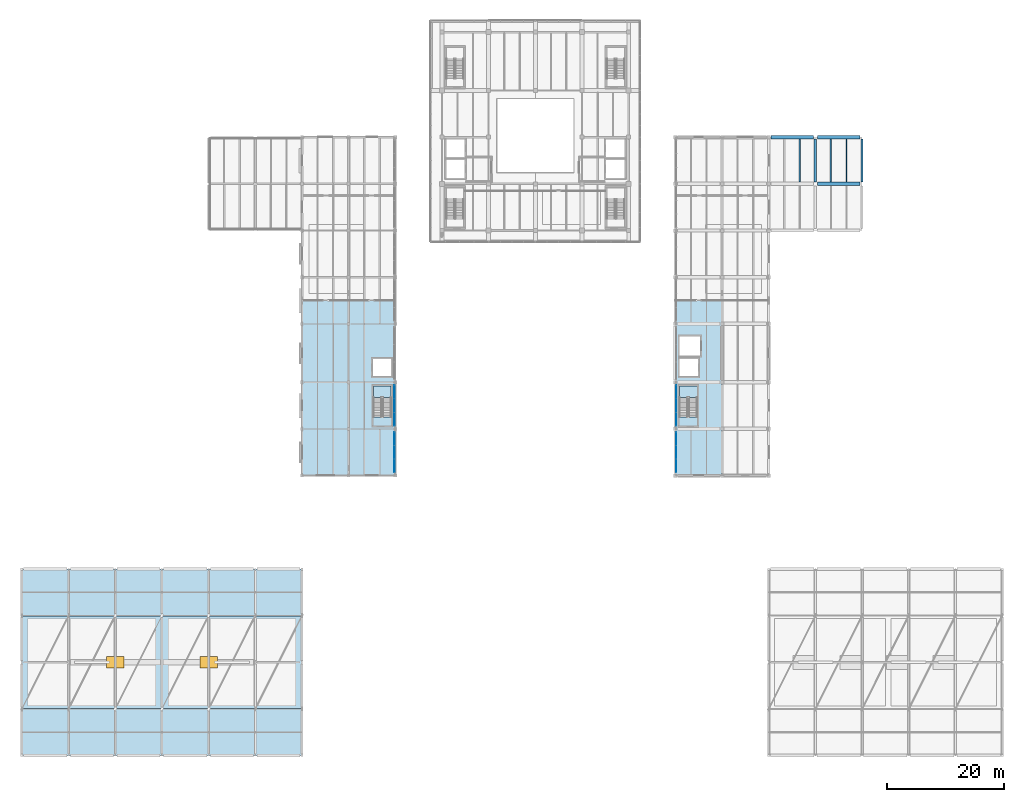
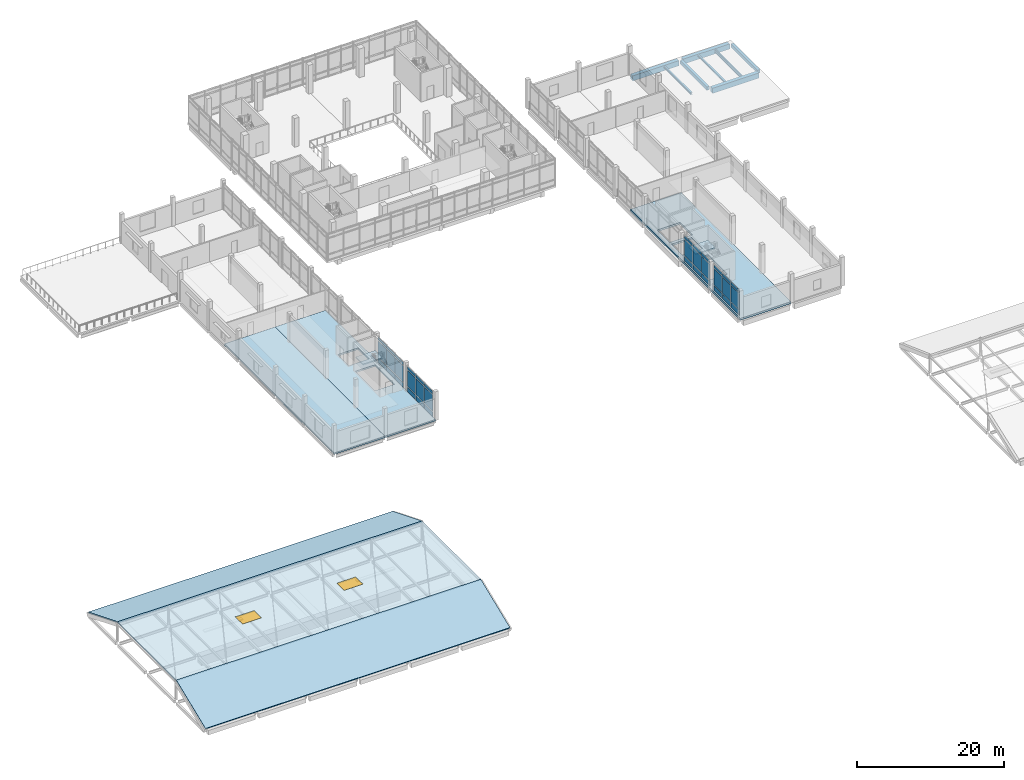
# One storey, part 25 of 47: 36 plates, 8 beams, 8 slabs, 2 windows, 2 openings, 6 elements without a shape of their own.
"""IFC4 building model written with IfcOpenShell, lengths in metres."""

from ifc_helpers import new_model, si_unit, direction, frame, origin, origin_2d, place, context, subcontext, project, spatial, polyline, rectangle, i_section, outline, extrude, material, layer, layer_set, material_profile, profile_set, type_object, element, fill, aggregate, save


model = new_model("IFC4")

# Units and contexts
model_context = context("Model", 3, precision=1e-05, world=origin(), true_north=direction((0.0, 1.0)))
body_context = subcontext(model_context, "Body", "Model", "MODEL_VIEW")
ifc_project = project(units=[si_unit("LENGTHUNIT", "METRE"), si_unit("AREAUNIT", "SQUARE_METRE"), si_unit("VOLUMEUNIT", "CUBIC_METRE"), si_unit("PLANEANGLEUNIT", "RADIAN"), si_unit("MASSUNIT", "GRAM", prefix="KILO")], contexts=[model_context])

# Site, building, storey
site_placement = place(None, origin())
site = spatial("IfcSite", under=ifc_project, at=site_placement, CompositionType="ELEMENT")
building_placement = place(site_placement, origin())
building = spatial("IfcBuilding", under=site, at=building_placement, Name="Pecanmere Concourse Central Library", CompositionType="ELEMENT")
storey_placement = place(building_placement, frame((0.0, 0.0, 15.300048828125)))
storey = spatial("IfcBuildingStorey", under=building, at=storey_placement, Name="L04", CompositionType="ELEMENT", Elevation=15.300048828125)

# Beams
ifc_material_1 = material(Name="Concrete C40/50", Category="concrete")
ifc_material_profile_1 = material_profile(ifc_material_1, rectangle(XDim=0.39990234375, YDim=0.56005859375, at=origin_2d()), Name="RC 400x560")
ifc_profile_set_1 = profile_set([ifc_material_profile_1], Name="Concrete C40/50")
beam_type_1 = type_object("IfcBeamType", Name="BM_400x560", PredefinedType="BEAM", material=ifc_profile_set_1)
for number, where, z_axis, x_axis, name in (
    (1, (136.0, 98.35009765625, -0.60009765625), (0.0, 1.0, 0.0), (-1.0, 0.0, 0.0), "Primary Girder Y L04-2319"),
    (2, (144.0, 98.35009765625, -0.60009765625), (0.0, 1.0, 0.0), (-1.0, 0.0, 0.0), "Primary Girder Y L04-2325"),
):
    element("IfcBeam", number, at=place(storey_placement, frame(where, z_axis=z_axis, x_axis=x_axis)), inside=storey, type_object=beam_type_1, Name=name, PredefinedType="BEAM", context=body_context, shape_type="SweptSolid", body=[
        extrude(rectangle(XDim=0.39990234375, YDim=0.56005859375, at=origin_2d()), origin(), (0.0, 0.0, 1.0), 7.2998046875),
    ])
ifc_material_2 = material(Name="Concrete C40/50", Category="concrete")
ifc_material_profile_2 = material_profile(ifc_material_2, rectangle(XDim=0.580078125, YDim=0.860107421875, at=origin_2d()), Name="RC 580x860")
ifc_profile_set_2 = profile_set([ifc_material_profile_2], Name="Concrete C40/50")
beam_type_2 = type_object("IfcBeamType", Name="GRD_580x860", PredefinedType="USERDEFINED", material=ifc_profile_set_2)
for number, where, z_axis, x_axis, name in (
    (3, (136.35009765625, 98.0, -0.75), (1.0, 0.0, 0.0), (0.0, 1.0, 0.0), "Primary Girder X L04-2202"),
    (4, (128.35009765625, 106.0, -0.75), (1.0, 0.0, 0.0), (0.0, 1.0, 0.0), "Primary Girder X L04-2211"),
    (5, (136.35009765625, 106.0, -0.75), (1.0, 0.0, 0.0), (0.0, 1.0, 0.0), "Primary Girder X L04-2212"),
):
    element("IfcBeam", number, at=place(storey_placement, frame(where, z_axis=z_axis, x_axis=x_axis)), inside=storey, type_object=beam_type_2, Name=name, ObjectType="GIRDER", PredefinedType="USERDEFINED", context=body_context, shape_type="SweptSolid", body=[
        extrude(rectangle(XDim=0.580078125, YDim=0.860107421875, at=origin_2d()), origin(), (0.0, 0.0, 1.0), 7.2998046875),
    ])
ifc_material_3 = material(Name="Structural steel ASTM A992 Grade 50", Category="steel")
ifc_material_profile_3 = material_profile(ifc_material_3, i_section(OverallWidth=0.25390625, OverallDepth=0.2529296875, WebThickness=0.008544921875, FlangeThickness=0.01416015625, at=origin_2d()), Name="W250x73")
ifc_profile_set_3 = profile_set([ifc_material_profile_3], Name="Structural steel ASTM A992 Grade 50")
beam_type_3 = type_object("IfcBeamType", Name="SBM_W250x73", PredefinedType="BEAM", material=ifc_profile_set_3)
beam_1_placement = place(storey_placement, frame((138.666748046875, 98.2900390625, -0.446533203125), z_axis=(0.0, 1.0, 0.0), x_axis=(-1.0, 0.0, 0.0)))
element("IfcBeam", 6, at=beam_1_placement, inside=storey, type_object=beam_type_3, Name="Secondary Floor Joist L04-2432", PredefinedType="BEAM", context=body_context, shape_type="SweptSolid", body=[
    extrude(i_section(OverallWidth=0.25390625, OverallDepth=0.2529296875, WebThickness=0.008544921875, FlangeThickness=0.01416015625, at=origin_2d()), origin(), (0.0, 0.0, 1.0), 7.419921875),
])
ifc_material_4 = material(Name="Structural steel ASTM A992 Grade 50", Category="steel")
ifc_material_profile_4 = material_profile(ifc_material_4, i_section(OverallWidth=0.25390625, OverallDepth=0.35302734375, WebThickness=0.009521484375, FlangeThickness=0.016357421875, at=origin_2d()), Name="W360x91")
ifc_profile_set_4 = profile_set([ifc_material_profile_4], Name="Structural steel ASTM A992 Grade 50")
beam_type_4 = type_object("IfcBeamType", Name="SBM_W360x91", PredefinedType="BEAM", material=ifc_profile_set_4)
beam_2_placement = place(storey_placement, frame((133.333251953125, 98.2900390625, -0.49658203125), z_axis=(0.0, 1.0, 0.0), x_axis=(-1.0, 0.0, 0.0)))
element("IfcBeam", 7, at=beam_2_placement, inside=storey, type_object=beam_type_4, Name="Secondary Floor Joist L04-2429", PredefinedType="BEAM", context=body_context, shape_type="SweptSolid", body=[
    extrude(i_section(OverallWidth=0.25390625, OverallDepth=0.35302734375, WebThickness=0.009521484375, FlangeThickness=0.016357421875, at=origin_2d()), origin(), (0.0, 0.0, 1.0), 7.419921875),
])
ifc_material_5 = material(Name="Structural steel ASTM A992 Grade 50", Category="steel")
ifc_material_profile_5 = material_profile(ifc_material_5, i_section(OverallWidth=0.208984375, OverallDepth=0.532958984375, WebThickness=0.01025390625, FlangeThickness=0.015625, at=origin_2d()), Name="W530x92")
ifc_profile_set_5 = profile_set([ifc_material_profile_5], Name="Structural steel ASTM A992 Grade 50")
beam_type_5 = type_object("IfcBeamType", Name="SBM_W530x92", PredefinedType="BEAM", material=ifc_profile_set_5)
beam_3_placement = place(storey_placement, frame((141.333251953125, 98.2900390625, -0.586669921875), z_axis=(0.0, 1.0, 0.0), x_axis=(-1.0, 0.0, 0.0)))
element("IfcBeam", 8, at=beam_3_placement, inside=storey, type_object=beam_type_5, Name="Secondary Floor Joist L04-2433", PredefinedType="BEAM", context=body_context, shape_type="SweptSolid", body=[
    extrude(i_section(OverallWidth=0.208984375, OverallDepth=0.532958984375, WebThickness=0.01025390625, FlangeThickness=0.015625, at=origin_2d()), origin(), (0.0, 0.0, 1.0), 7.419921875),
])

# Curtain wall, plates
ifc_material_6 = material(Name="Clear anodized aluminium alloy 6063-T6", Category="aluminium")
curtain_wall_type = type_object("IfcCurtainWallType", Name="CW_CLOISTER_GLAZ", PredefinedType="USERDEFINED", material=ifc_material_6)
curtain_wall_1_placement = place(storey_placement, origin())
curtain_wall_1 = element("IfcCurtainWall", 9, at=curtain_wall_1_placement, inside=storey, type_object=curtain_wall_type, Name="Unitised Curtain Wall CW-04 L04-139", ObjectType="UNITISED CURTAIN WALL", PredefinedType="USERDEFINED")
ifc_material_7 = material(Name="White ceramic-fritted insulated spandrel glazing", Category="glass")
ifc_layer_1 = layer(ifc_material_7, 0.053955078125, Name="CWP_SPN_54")
ifc_layer_set_1 = layer_set([ifc_layer_1], Name="White ceramic-fritted insulated spandrel glazing")
plate_type_1 = type_object("IfcPlateType", Name="CWP_SPN_54", PredefinedType="CURTAIN_PANEL", material=ifc_layer_set_1)
plate_1_placement = place(storey_placement, frame((112.14990234375, 54.331787109375, 0.139892578125), z_axis=(0.0, 0.0, 1.0), x_axis=(0.0, -1.0, 0.0)))
plate_1 = element("IfcPlate", 10, at=plate_1_placement, type_object=plate_type_1, Name="CW-04 Spandrel Panel 1.1", PredefinedType="CURTAIN_PANEL", context=body_context, shape_type="SweptSolid", body=[
    extrude(rectangle(XDim=2.256591796875, YDim=0.035888671875, at=origin_2d()), origin(), (0.0, 0.0, 1.0), 0.7900390625),
])
plate_2_placement = place(storey_placement, frame((112.14990234375, 52.0, 0.139892578125), z_axis=(0.0, 0.0, 1.0), x_axis=(0.0, -1.0, 0.0)))
plate_2 = element("IfcPlate", 11, at=plate_2_placement, type_object=plate_type_1, Name="CW-04 Spandrel Panel 2.1", PredefinedType="CURTAIN_PANEL", context=body_context, shape_type="SweptSolid", body=[
    extrude(rectangle(XDim=2.28662109375, YDim=0.035888671875, at=origin_2d()), origin(), (0.0, 0.0, 1.0), 0.7900390625),
])
plate_3_placement = place(storey_placement, frame((112.14990234375, 49.668212890625, 0.139892578125), z_axis=(0.0, 0.0, 1.0), x_axis=(0.0, -1.0, 0.0)))
plate_3 = element("IfcPlate", 12, at=plate_3_placement, type_object=plate_type_1, Name="CW-04 Spandrel Panel 3.1", PredefinedType="CURTAIN_PANEL", context=body_context, shape_type="SweptSolid", body=[
    extrude(rectangle(XDim=2.256591796875, YDim=0.035888671875, at=origin_2d()), origin(), (0.0, 0.0, 1.0), 0.7900390625),
])

curtain_wall_2_placement = place(storey_placement, origin())
curtain_wall_2 = element("IfcCurtainWall", 13, at=curtain_wall_2_placement, inside=storey, type_object=curtain_wall_type, Name="Unitised Curtain Wall CW-04 L04-140", ObjectType="UNITISED CURTAIN WALL", PredefinedType="USERDEFINED")
plate_4_placement = place(storey_placement, frame((63.85009765625, 49.668212890625, 0.139892578125), z_axis=(0.0, 0.0, 1.0), x_axis=(0.0, 1.0, 0.0)))
plate_4 = element("IfcPlate", 14, at=plate_4_placement, type_object=plate_type_1, Name="CW-04 Spandrel Panel 1.1", PredefinedType="CURTAIN_PANEL", context=body_context, shape_type="SweptSolid", body=[
    extrude(rectangle(XDim=2.256591796875, YDim=0.035888671875, at=origin_2d()), origin(), (0.0, 0.0, 1.0), 0.7900390625),
])
plate_5_placement = place(storey_placement, frame((63.85009765625, 52.0, 0.139892578125), z_axis=(0.0, 0.0, 1.0), x_axis=(0.0, 1.0, 0.0)))
plate_5 = element("IfcPlate", 15, at=plate_5_placement, type_object=plate_type_1, Name="CW-04 Spandrel Panel 2.1", PredefinedType="CURTAIN_PANEL", context=body_context, shape_type="SweptSolid", body=[
    extrude(rectangle(XDim=2.28662109375, YDim=0.035888671875, at=origin_2d()), origin(), (0.0, 0.0, 1.0), 0.7900390625),
])
plate_6_placement = place(storey_placement, frame((63.85009765625, 54.331787109375, 0.139892578125), z_axis=(0.0, 0.0, 1.0), x_axis=(0.0, 1.0, 0.0)))
plate_6 = element("IfcPlate", 16, at=plate_6_placement, type_object=plate_type_1, Name="CW-04 Spandrel Panel 3.1", PredefinedType="CURTAIN_PANEL", context=body_context, shape_type="SweptSolid", body=[
    extrude(rectangle(XDim=2.256591796875, YDim=0.035888671875, at=origin_2d()), origin(), (0.0, 0.0, 1.0), 0.7900390625),
])

curtain_wall_3_placement = place(storey_placement, origin())
curtain_wall_3 = element("IfcCurtainWall", 17, at=curtain_wall_3_placement, inside=storey, type_object=curtain_wall_type, Name="Unitised Curtain Wall CW-04 L04-141", ObjectType="UNITISED CURTAIN WALL", PredefinedType="USERDEFINED")
plate_7_placement = place(storey_placement, frame((112.14990234375, 62.331787109375, 0.139892578125), z_axis=(0.0, 0.0, 1.0), x_axis=(0.0, -1.0, 0.0)))
plate_7 = element("IfcPlate", 18, at=plate_7_placement, type_object=plate_type_1, Name="CW-04 Spandrel Panel 1.1", PredefinedType="CURTAIN_PANEL", context=body_context, shape_type="SweptSolid", body=[
    extrude(rectangle(XDim=2.256591796875, YDim=0.035888671875, at=origin_2d()), origin(), (0.0, 0.0, 1.0), 0.7900390625),
])
plate_8_placement = place(storey_placement, frame((112.14990234375, 60.0, 0.139892578125), z_axis=(0.0, 0.0, 1.0), x_axis=(0.0, -1.0, 0.0)))
plate_8 = element("IfcPlate", 19, at=plate_8_placement, type_object=plate_type_1, Name="CW-04 Spandrel Panel 2.1", PredefinedType="CURTAIN_PANEL", context=body_context, shape_type="SweptSolid", body=[
    extrude(rectangle(XDim=2.28662109375, YDim=0.035888671875, at=origin_2d()), origin(), (0.0, 0.0, 1.0), 0.7900390625),
])
plate_9_placement = place(storey_placement, frame((112.14990234375, 57.668212890625, 0.139892578125), z_axis=(0.0, 0.0, 1.0), x_axis=(0.0, -1.0, 0.0)))
plate_9 = element("IfcPlate", 20, at=plate_9_placement, type_object=plate_type_1, Name="CW-04 Spandrel Panel 3.1", PredefinedType="CURTAIN_PANEL", context=body_context, shape_type="SweptSolid", body=[
    extrude(rectangle(XDim=2.256591796875, YDim=0.035888671875, at=origin_2d()), origin(), (0.0, 0.0, 1.0), 0.7900390625),
])

curtain_wall_4_placement = place(storey_placement, origin())
curtain_wall_4 = element("IfcCurtainWall", 21, at=curtain_wall_4_placement, inside=storey, type_object=curtain_wall_type, Name="Unitised Curtain Wall CW-04 L04-142", ObjectType="UNITISED CURTAIN WALL", PredefinedType="USERDEFINED")
plate_10_placement = place(storey_placement, frame((63.85009765625, 57.668212890625, 0.139892578125), z_axis=(0.0, 0.0, 1.0), x_axis=(0.0, 1.0, 0.0)))
plate_10 = element("IfcPlate", 22, at=plate_10_placement, type_object=plate_type_1, Name="CW-04 Spandrel Panel 1.1", PredefinedType="CURTAIN_PANEL", context=body_context, shape_type="SweptSolid", body=[
    extrude(rectangle(XDim=2.256591796875, YDim=0.035888671875, at=origin_2d()), origin(), (0.0, 0.0, 1.0), 0.7900390625),
])
plate_11_placement = place(storey_placement, frame((63.85009765625, 60.0, 0.139892578125), z_axis=(0.0, 0.0, 1.0), x_axis=(0.0, 1.0, 0.0)))
plate_11 = element("IfcPlate", 23, at=plate_11_placement, type_object=plate_type_1, Name="CW-04 Spandrel Panel 2.1", PredefinedType="CURTAIN_PANEL", context=body_context, shape_type="SweptSolid", body=[
    extrude(rectangle(XDim=2.28662109375, YDim=0.035888671875, at=origin_2d()), origin(), (0.0, 0.0, 1.0), 0.7900390625),
])
plate_12_placement = place(storey_placement, frame((63.85009765625, 62.331787109375, 0.139892578125), z_axis=(0.0, 0.0, 1.0), x_axis=(0.0, 1.0, 0.0)))
plate_12 = element("IfcPlate", 24, at=plate_12_placement, type_object=plate_type_1, Name="CW-04 Spandrel Panel 3.1", PredefinedType="CURTAIN_PANEL", context=body_context, shape_type="SweptSolid", body=[
    extrude(rectangle(XDim=2.256591796875, YDim=0.035888671875, at=origin_2d()), origin(), (0.0, 0.0, 1.0), 0.7900390625),
])

# Plate
ifc_material_8 = material(Name="Low-iron clear insulated glazing", Category="glass")
ifc_layer_2 = layer(ifc_material_8, 0.035888671875, Name="CWP_VIS_36")
ifc_layer_set_2 = layer_set([ifc_layer_2], Name="Low-iron clear insulated glazing")
plate_type_2 = type_object("IfcPlateType", Name="CWP_VIS_36", PredefinedType="CURTAIN_PANEL", material=ifc_layer_set_2)
plate_13_placement = place(storey_placement, frame((112.14990234375, 54.331787109375, 1.06982421875), z_axis=(0.0, 0.0, 1.0), x_axis=(0.0, -1.0, 0.0)))
plate_13 = element("IfcPlate", 25, at=plate_13_placement, type_object=plate_type_2, Name="CW-04 Vision Panel 1.2", PredefinedType="CURTAIN_PANEL", context=body_context, shape_type="SweptSolid", body=[
    extrude(rectangle(XDim=2.256591796875, YDim=0.035888671875, at=origin_2d()), origin(), (0.0, 0.0, 1.0), 2.679931640625),
])

plate_14_placement = place(storey_placement, frame((112.14990234375, 54.331787109375, 3.89013671875), z_axis=(0.0, 0.0, 1.0), x_axis=(0.0, -1.0, 0.0)))
plate_14 = element("IfcPlate", 26, at=plate_14_placement, type_object=plate_type_2, Name="CW-04 Vision Panel 1.3", PredefinedType="CURTAIN_PANEL", context=body_context, shape_type="SweptSolid", body=[
    extrude(rectangle(XDim=2.256591796875, YDim=0.035888671875, at=origin_2d()), origin(), (0.0, 0.0, 1.0), 0.489990234375),
])

plate_15_placement = place(storey_placement, frame((112.14990234375, 52.0, 1.06982421875), z_axis=(0.0, 0.0, 1.0), x_axis=(0.0, -1.0, 0.0)))
plate_15 = element("IfcPlate", 27, at=plate_15_placement, type_object=plate_type_2, Name="CW-04 Vision Panel 2.2", PredefinedType="CURTAIN_PANEL", context=body_context, shape_type="SweptSolid", body=[
    extrude(rectangle(XDim=2.28662109375, YDim=0.035888671875, at=origin_2d()), origin(), (0.0, 0.0, 1.0), 2.679931640625),
])

plate_16_placement = place(storey_placement, frame((112.14990234375, 52.0, 3.89013671875), z_axis=(0.0, 0.0, 1.0), x_axis=(0.0, -1.0, 0.0)))
plate_16 = element("IfcPlate", 28, at=plate_16_placement, type_object=plate_type_2, Name="CW-04 Vision Panel 2.3", PredefinedType="CURTAIN_PANEL", context=body_context, shape_type="SweptSolid", body=[
    extrude(rectangle(XDim=2.28662109375, YDim=0.035888671875, at=origin_2d()), origin(), (0.0, 0.0, 1.0), 0.489990234375),
])

plate_17_placement = place(storey_placement, frame((112.14990234375, 49.668212890625, 1.06982421875), z_axis=(0.0, 0.0, 1.0), x_axis=(0.0, -1.0, 0.0)))
plate_17 = element("IfcPlate", 29, at=plate_17_placement, type_object=plate_type_2, Name="CW-04 Vision Panel 3.2", PredefinedType="CURTAIN_PANEL", context=body_context, shape_type="SweptSolid", body=[
    extrude(rectangle(XDim=2.256591796875, YDim=0.035888671875, at=origin_2d()), origin(), (0.0, 0.0, 1.0), 2.679931640625),
])

plate_18_placement = place(storey_placement, frame((112.14990234375, 49.668212890625, 3.89013671875), z_axis=(0.0, 0.0, 1.0), x_axis=(0.0, -1.0, 0.0)))
plate_18 = element("IfcPlate", 30, at=plate_18_placement, type_object=plate_type_2, Name="CW-04 Vision Panel 3.3", PredefinedType="CURTAIN_PANEL", context=body_context, shape_type="SweptSolid", body=[
    extrude(rectangle(XDim=2.256591796875, YDim=0.035888671875, at=origin_2d()), origin(), (0.0, 0.0, 1.0), 0.489990234375),
])

aggregate(curtain_wall_1, [plate_1, plate_13, plate_14, plate_2, plate_15, plate_16, plate_3, plate_17, plate_18])

plate_19_placement = place(storey_placement, frame((63.85009765625, 49.668212890625, 1.06982421875), z_axis=(0.0, 0.0, 1.0), x_axis=(0.0, 1.0, 0.0)))
plate_19 = element("IfcPlate", 31, at=plate_19_placement, type_object=plate_type_2, Name="CW-04 Vision Panel 1.2", PredefinedType="CURTAIN_PANEL", context=body_context, shape_type="SweptSolid", body=[
    extrude(rectangle(XDim=2.256591796875, YDim=0.035888671875, at=origin_2d()), origin(), (0.0, 0.0, 1.0), 2.679931640625),
])

plate_20_placement = place(storey_placement, frame((63.85009765625, 49.668212890625, 3.89013671875), z_axis=(0.0, 0.0, 1.0), x_axis=(0.0, 1.0, 0.0)))
plate_20 = element("IfcPlate", 32, at=plate_20_placement, type_object=plate_type_2, Name="CW-04 Vision Panel 1.3", PredefinedType="CURTAIN_PANEL", context=body_context, shape_type="SweptSolid", body=[
    extrude(rectangle(XDim=2.256591796875, YDim=0.035888671875, at=origin_2d()), origin(), (0.0, 0.0, 1.0), 0.489990234375),
])

plate_21_placement = place(storey_placement, frame((63.85009765625, 52.0, 1.06982421875), z_axis=(0.0, 0.0, 1.0), x_axis=(0.0, 1.0, 0.0)))
plate_21 = element("IfcPlate", 33, at=plate_21_placement, type_object=plate_type_2, Name="CW-04 Vision Panel 2.2", PredefinedType="CURTAIN_PANEL", context=body_context, shape_type="SweptSolid", body=[
    extrude(rectangle(XDim=2.28662109375, YDim=0.035888671875, at=origin_2d()), origin(), (0.0, 0.0, 1.0), 2.679931640625),
])

plate_22_placement = place(storey_placement, frame((63.85009765625, 52.0, 3.89013671875), z_axis=(0.0, 0.0, 1.0), x_axis=(0.0, 1.0, 0.0)))
plate_22 = element("IfcPlate", 34, at=plate_22_placement, type_object=plate_type_2, Name="CW-04 Vision Panel 2.3", PredefinedType="CURTAIN_PANEL", context=body_context, shape_type="SweptSolid", body=[
    extrude(rectangle(XDim=2.28662109375, YDim=0.035888671875, at=origin_2d()), origin(), (0.0, 0.0, 1.0), 0.489990234375),
])

plate_23_placement = place(storey_placement, frame((63.85009765625, 54.331787109375, 1.06982421875), z_axis=(0.0, 0.0, 1.0), x_axis=(0.0, 1.0, 0.0)))
plate_23 = element("IfcPlate", 35, at=plate_23_placement, type_object=plate_type_2, Name="CW-04 Vision Panel 3.2", PredefinedType="CURTAIN_PANEL", context=body_context, shape_type="SweptSolid", body=[
    extrude(rectangle(XDim=2.256591796875, YDim=0.035888671875, at=origin_2d()), origin(), (0.0, 0.0, 1.0), 2.679931640625),
])

plate_24_placement = place(storey_placement, frame((63.85009765625, 54.331787109375, 3.89013671875), z_axis=(0.0, 0.0, 1.0), x_axis=(0.0, 1.0, 0.0)))
plate_24 = element("IfcPlate", 36, at=plate_24_placement, type_object=plate_type_2, Name="CW-04 Vision Panel 3.3", PredefinedType="CURTAIN_PANEL", context=body_context, shape_type="SweptSolid", body=[
    extrude(rectangle(XDim=2.256591796875, YDim=0.035888671875, at=origin_2d()), origin(), (0.0, 0.0, 1.0), 0.489990234375),
])

aggregate(curtain_wall_2, [plate_4, plate_19, plate_20, plate_5, plate_21, plate_22, plate_6, plate_23, plate_24])

plate_25_placement = place(storey_placement, frame((112.14990234375, 62.331787109375, 1.06982421875), z_axis=(0.0, 0.0, 1.0), x_axis=(0.0, -1.0, 0.0)))
plate_25 = element("IfcPlate", 37, at=plate_25_placement, type_object=plate_type_2, Name="CW-04 Vision Panel 1.2", PredefinedType="CURTAIN_PANEL", context=body_context, shape_type="SweptSolid", body=[
    extrude(rectangle(XDim=2.256591796875, YDim=0.035888671875, at=origin_2d()), origin(), (0.0, 0.0, 1.0), 2.679931640625),
])

plate_26_placement = place(storey_placement, frame((112.14990234375, 62.331787109375, 3.89013671875), z_axis=(0.0, 0.0, 1.0), x_axis=(0.0, -1.0, 0.0)))
plate_26 = element("IfcPlate", 38, at=plate_26_placement, type_object=plate_type_2, Name="CW-04 Vision Panel 1.3", PredefinedType="CURTAIN_PANEL", context=body_context, shape_type="SweptSolid", body=[
    extrude(rectangle(XDim=2.256591796875, YDim=0.035888671875, at=origin_2d()), origin(), (0.0, 0.0, 1.0), 0.489990234375),
])

plate_27_placement = place(storey_placement, frame((112.14990234375, 60.0, 1.06982421875), z_axis=(0.0, 0.0, 1.0), x_axis=(0.0, -1.0, 0.0)))
plate_27 = element("IfcPlate", 39, at=plate_27_placement, type_object=plate_type_2, Name="CW-04 Vision Panel 2.2", PredefinedType="CURTAIN_PANEL", context=body_context, shape_type="SweptSolid", body=[
    extrude(rectangle(XDim=2.28662109375, YDim=0.035888671875, at=origin_2d()), origin(), (0.0, 0.0, 1.0), 2.679931640625),
])

plate_28_placement = place(storey_placement, frame((112.14990234375, 60.0, 3.89013671875), z_axis=(0.0, 0.0, 1.0), x_axis=(0.0, -1.0, 0.0)))
plate_28 = element("IfcPlate", 40, at=plate_28_placement, type_object=plate_type_2, Name="CW-04 Vision Panel 2.3", PredefinedType="CURTAIN_PANEL", context=body_context, shape_type="SweptSolid", body=[
    extrude(rectangle(XDim=2.28662109375, YDim=0.035888671875, at=origin_2d()), origin(), (0.0, 0.0, 1.0), 0.489990234375),
])

plate_29_placement = place(storey_placement, frame((112.14990234375, 57.668212890625, 1.06982421875), z_axis=(0.0, 0.0, 1.0), x_axis=(0.0, -1.0, 0.0)))
plate_29 = element("IfcPlate", 41, at=plate_29_placement, type_object=plate_type_2, Name="CW-04 Vision Panel 3.2", PredefinedType="CURTAIN_PANEL", context=body_context, shape_type="SweptSolid", body=[
    extrude(rectangle(XDim=2.256591796875, YDim=0.035888671875, at=origin_2d()), origin(), (0.0, 0.0, 1.0), 2.679931640625),
])

plate_30_placement = place(storey_placement, frame((112.14990234375, 57.668212890625, 3.89013671875), z_axis=(0.0, 0.0, 1.0), x_axis=(0.0, -1.0, 0.0)))
plate_30 = element("IfcPlate", 42, at=plate_30_placement, type_object=plate_type_2, Name="CW-04 Vision Panel 3.3", PredefinedType="CURTAIN_PANEL", context=body_context, shape_type="SweptSolid", body=[
    extrude(rectangle(XDim=2.256591796875, YDim=0.035888671875, at=origin_2d()), origin(), (0.0, 0.0, 1.0), 0.489990234375),
])

aggregate(curtain_wall_3, [plate_7, plate_25, plate_26, plate_8, plate_27, plate_28, plate_9, plate_29, plate_30])

plate_31_placement = place(storey_placement, frame((63.85009765625, 57.668212890625, 1.06982421875), z_axis=(0.0, 0.0, 1.0), x_axis=(0.0, 1.0, 0.0)))
plate_31 = element("IfcPlate", 43, at=plate_31_placement, type_object=plate_type_2, Name="CW-04 Vision Panel 1.2", PredefinedType="CURTAIN_PANEL", context=body_context, shape_type="SweptSolid", body=[
    extrude(rectangle(XDim=2.256591796875, YDim=0.035888671875, at=origin_2d()), origin(), (0.0, 0.0, 1.0), 2.679931640625),
])

plate_32_placement = place(storey_placement, frame((63.85009765625, 57.668212890625, 3.89013671875), z_axis=(0.0, 0.0, 1.0), x_axis=(0.0, 1.0, 0.0)))
plate_32 = element("IfcPlate", 44, at=plate_32_placement, type_object=plate_type_2, Name="CW-04 Vision Panel 1.3", PredefinedType="CURTAIN_PANEL", context=body_context, shape_type="SweptSolid", body=[
    extrude(rectangle(XDim=2.256591796875, YDim=0.035888671875, at=origin_2d()), origin(), (0.0, 0.0, 1.0), 0.489990234375),
])

plate_33_placement = place(storey_placement, frame((63.85009765625, 60.0, 1.06982421875), z_axis=(0.0, 0.0, 1.0), x_axis=(0.0, 1.0, 0.0)))
plate_33 = element("IfcPlate", 45, at=plate_33_placement, type_object=plate_type_2, Name="CW-04 Vision Panel 2.2", PredefinedType="CURTAIN_PANEL", context=body_context, shape_type="SweptSolid", body=[
    extrude(rectangle(XDim=2.28662109375, YDim=0.035888671875, at=origin_2d()), origin(), (0.0, 0.0, 1.0), 2.679931640625),
])

plate_34_placement = place(storey_placement, frame((63.85009765625, 60.0, 3.89013671875), z_axis=(0.0, 0.0, 1.0), x_axis=(0.0, 1.0, 0.0)))
plate_34 = element("IfcPlate", 46, at=plate_34_placement, type_object=plate_type_2, Name="CW-04 Vision Panel 2.3", PredefinedType="CURTAIN_PANEL", context=body_context, shape_type="SweptSolid", body=[
    extrude(rectangle(XDim=2.28662109375, YDim=0.035888671875, at=origin_2d()), origin(), (0.0, 0.0, 1.0), 0.489990234375),
])

plate_35_placement = place(storey_placement, frame((63.85009765625, 62.331787109375, 1.06982421875), z_axis=(0.0, 0.0, 1.0), x_axis=(0.0, 1.0, 0.0)))
plate_35 = element("IfcPlate", 47, at=plate_35_placement, type_object=plate_type_2, Name="CW-04 Vision Panel 3.2", PredefinedType="CURTAIN_PANEL", context=body_context, shape_type="SweptSolid", body=[
    extrude(rectangle(XDim=2.256591796875, YDim=0.035888671875, at=origin_2d()), origin(), (0.0, 0.0, 1.0), 2.679931640625),
])

plate_36_placement = place(storey_placement, frame((63.85009765625, 62.331787109375, 3.89013671875), z_axis=(0.0, 0.0, 1.0), x_axis=(0.0, 1.0, 0.0)))
plate_36 = element("IfcPlate", 48, at=plate_36_placement, type_object=plate_type_2, Name="CW-04 Vision Panel 3.3", PredefinedType="CURTAIN_PANEL", context=body_context, shape_type="SweptSolid", body=[
    extrude(rectangle(XDim=2.256591796875, YDim=0.035888671875, at=origin_2d()), origin(), (0.0, 0.0, 1.0), 0.489990234375),
])

aggregate(curtain_wall_4, [plate_10, plate_31, plate_32, plate_11, plate_33, plate_34, plate_12, plate_35, plate_36])

# Stair, slab
ifc_material_9 = material(Name="Concrete C35/45", Category="concrete")
stair_type_1 = type_object("IfcStairType", Name="STAIR_TYPE_ST-05-1846", PredefinedType="USERDEFINED", material=ifc_material_9)
stair_1_placement = place(storey_placement, origin())
stair_1 = element("IfcStair", 49, at=stair_1_placement, inside=storey, type_object=stair_type_1, Name="L04 Protected Stair ST-05", ObjectType="TWO_RETURN_STAIR", PredefinedType="USERDEFINED")
ifc_material_10 = material(Name="Concrete C35/45", Category="concrete")
ifc_layer_3 = layer(ifc_material_10, 0.199951171875, Name="SLAB_LANDING_200")
ifc_layer_set_3 = layer_set([ifc_layer_3], Name="Concrete C35/45")
slab_type_1 = type_object("IfcSlabType", Name="SLAB_LANDING_200", PredefinedType="LANDING", material=ifc_layer_set_3)
slab_1_placement = place(storey_placement, frame((0.0, 0.0, 2.199951171875)))
slab_1 = element("IfcSlab", 50, at=slab_1_placement, type_object=slab_type_1, Name="ST-05-1846 landing 1", PredefinedType="LANDING", context=body_context, shape_type="SweptSolid", body=[
    extrude(outline(polyline([(115.760009765625, 61.360107421875), (115.760009765625, 63.3701171875), (112.699951171875, 63.3701171875), (112.699951171875, 61.360107421875), (115.760009765625, 61.360107421875)])), origin(), (0.0, 0.0, 1.0), 0.199951171875),
])
aggregate(stair_1, [slab_1])

ifc_material_11 = material(Name="Concrete C35/45", Category="concrete")
stair_type_2 = type_object("IfcStairType", Name="STAIR_TYPE_ST-06-1846", PredefinedType="USERDEFINED", material=ifc_material_11)
stair_2_placement = place(storey_placement, origin())
stair_2 = element("IfcStair", 51, at=stair_2_placement, inside=storey, type_object=stair_type_2, Name="L04 Protected Stair ST-06", ObjectType="TWO_RETURN_STAIR", PredefinedType="USERDEFINED")
slab_2_placement = place(storey_placement, frame((0.0, 0.0, 2.199951171875)))
slab_2 = element("IfcSlab", 52, at=slab_2_placement, type_object=slab_type_1, Name="ST-06-1846 landing 1", PredefinedType="LANDING", context=body_context, shape_type="SweptSolid", body=[
    extrude(outline(polyline([(63.300048828125, 61.360107421875), (63.300048828125, 63.3701171875), (60.239990234375, 63.3701171875), (60.239990234375, 61.360107421875), (63.300048828125, 61.360107421875)])), origin(), (0.0, 0.0, 1.0), 0.199951171875),
])
aggregate(stair_2, [slab_2])

# Slabs
ifc_material_12 = material(Name="Concrete C35/45", Category="concrete")
ifc_layer_4 = layer(ifc_material_12, 0.264892578125, Name="SLAB_READ_265")
ifc_layer_set_4 = layer_set([ifc_layer_4], Name="Concrete C35/45")
slab_type_2 = type_object("IfcSlabType", Name="SLAB_READ_265", PredefinedType="FLOOR", material=ifc_layer_set_4)
slab_3_placement = place(storey_placement, frame((0.0, 0.0, -0.26513671875)))
element("IfcSlab", 53, at=slab_3_placement, inside=storey, type_object=slab_type_2, Name="Floor Slab V3 L04-128", PredefinedType="FLOOR", context=body_context, shape_type="SweptSolid", body=[
    extrude(outline(polyline([(48.0, 78.0), (56.0, 78.0), (56.0, 49.60009765625), (55.919921875, 49.60009765625), (55.919921875, 49.0), (56.0, 49.0), (56.0, 48.0), (48.0, 48.0), (48.0, 78.0)])), origin(), (0.0, 0.0, 1.0), 0.26513671875),
])
slab_4_placement = place(storey_placement, frame((0.0, 0.0, -0.26513671875)))
element("IfcSlab", 54, at=slab_4_placement, inside=storey, type_object=slab_type_2, Name="Floor Slab V3 L04-130", PredefinedType="FLOOR", context=body_context, shape_type="SweptSolid", body=[
    extrude(outline(polyline([(56.0, 48.0), (56.0, 78.0), (64.0, 78.0), (64.0, 48.0), (56.0, 48.0)]), holes=[polyline([(60.239990234375, 63.3701171875), (60.239990234375, 58.030029296875), (63.300048828125, 58.030029296875), (63.300048828125, 63.3701171875), (60.239990234375, 63.3701171875)]), polyline([(63.300048828125, 68.0), (60.10009765625, 68.0), (60.10009765625, 65.0), (63.300048828125, 65.0), (63.300048828125, 68.0)])]), origin(), (0.0, 0.0, 1.0), 0.26513671875),
])
ifc_material_13 = material(Name="Concrete C35/45", Category="concrete")
ifc_layer_5 = layer(ifc_material_13, 0.18994140625, Name="SLAB_ROOF_190")
ifc_layer_set_5 = layer_set([ifc_layer_5], Name="Concrete C35/45")
slab_type_3 = type_object("IfcSlabType", Name="SLAB_ROOF_190", PredefinedType="ROOF", material=ifc_layer_set_5)
for number, where, z_axis, x_axis, name in (
    (55, (0.0, 0.0, 0.0), (0.0, -0.374603397917, 0.927185145626), (1.0, 0.0, 0.0), "Auditorium South Pitched Roof Deck"),
    (56, (48.0, 32.0, 0.0), (0.0, 0.374603397917, 0.927185145626), (-1.0, 0.0, 0.0), "Auditorium North Pitched Roof Deck"),
):
    element("IfcSlab", number, at=place(storey_placement, frame(where, z_axis=z_axis, x_axis=x_axis)), inside=storey, type_object=slab_type_3, Name=name, PredefinedType="ROOF", context=body_context, shape_type="SweptSolid", body=[
        extrude(outline(polyline([(0.0, 0.0), (48.0, 0.0), (48.0, 8.628265926974521), (0.0, 8.628265926974521), (0.0, 0.0)])), origin(), (0.0, 0.0, -1.0), 0.18994140625),
    ])

# Slab, openings, windows
ifc_material_14 = material(Name="Concrete C35/45", Category="concrete")
ifc_layer_6 = layer(ifc_material_14, 0.215087890625, Name="SLAB_ROOF_215")
ifc_layer_set_6 = layer_set([ifc_layer_6], Name="Concrete C35/45")
slab_type_4 = type_object("IfcSlabType", Name="SLAB_ROOF_215", PredefinedType="ROOF", material=ifc_layer_set_6)
slab_5_placement = place(storey_placement, frame((0.0, 0.0, 3.01708984375)))
slab_5 = element("IfcSlab", 57, at=slab_5_placement, inside=storey, type_object=slab_type_4, Name="Auditorium Ridge Monitor Roof Deck", PredefinedType="ROOF", context=body_context, shape_type="SweptSolid", body=[
    extrude(outline(polyline([(0.0, 8.0), (48.0, 8.0), (48.0, 24.0), (0.0, 24.0), (0.0, 8.0)])), origin(), (0.0, 0.0, 1.0), 0.215087890625),
])
opening_1_placement = place(slab_5_placement, frame((16.0, 16.0, 0.0)))
opening_1 = element("IfcOpeningElement", 58, at=opening_1_placement, cuts=slab_5, Name="Opening SK-02", PredefinedType="OPENING", context=body_context, shape_type="SweptSolid", body=[
    extrude(rectangle(XDim=3.0, YDim=2.0, at=origin_2d()), origin(), (0.0, 0.0, 1.0), 0.215087890625),
])
opening_2_placement = place(slab_5_placement, frame((32.0, 16.0, 0.0)))
opening_2 = element("IfcOpeningElement", 59, at=opening_2_placement, cuts=slab_5, Name="Opening SK-02", PredefinedType="OPENING", context=body_context, shape_type="SweptSolid", body=[
    extrude(rectangle(XDim=3.0, YDim=2.0, at=origin_2d()), origin(), (0.0, 0.0, 1.0), 0.215087890625),
])
ifc_material_15 = material(Name="Laminated solar-control skylight glazing", Category="glass")
window_type = type_object("IfcWindowType", Name="SKY_3000x2000", PartitioningType="SINGLE_PANEL", PredefinedType="SKYLIGHT", material=ifc_material_15)
window_1_placement = place(opening_1_placement, frame((0.0, 0.0, 0.1650390625)))
window_1 = element("IfcWindow", 60, at=window_1_placement, inside=storey, type_object=window_type, Name="SK-05", OverallHeight=2.0, OverallWidth=3.0, PartitioningType="SINGLE_PANEL", PredefinedType="SKYLIGHT", context=body_context, shape_type="SweptSolid", body=[
    extrude(rectangle(XDim=3.0, YDim=2.0, at=origin_2d()), origin(), (0.0, 0.0, 1.0), 0.050048828125),
])
fill(opening_1, window_1)
window_2_placement = place(opening_2_placement, frame((0.0, 0.0, 0.1650390625)))
window_2 = element("IfcWindow", 61, at=window_2_placement, inside=storey, type_object=window_type, Name="SK-06", OverallHeight=2.0, OverallWidth=3.0, PartitioningType="SINGLE_PANEL", PredefinedType="SKYLIGHT", context=body_context, shape_type="SweptSolid", body=[
    extrude(rectangle(XDim=3.0, YDim=2.0, at=origin_2d()), origin(), (0.0, 0.0, 1.0), 0.050048828125),
])
fill(opening_2, window_2)

# Slab
ifc_material_16 = material(Name="Concrete C35/45", Category="concrete")
ifc_layer_7 = layer(ifc_material_16, 0.320068359375, Name="SLAB_STACK_320")
ifc_layer_set_7 = layer_set([ifc_layer_7], Name="Concrete C35/45")
slab_type_5 = type_object("IfcSlabType", Name="SLAB_STACK_320", PredefinedType="FLOOR", material=ifc_layer_set_7)
slab_6_placement = place(storey_placement, frame((0.0, 0.0, -0.320068359375)))
element("IfcSlab", 62, at=slab_6_placement, inside=storey, type_object=slab_type_5, Name="Floor Slab V2 L04-124", PredefinedType="FLOOR", context=body_context, shape_type="SweptSolid", body=[
    extrude(outline(polyline([(112.0, 48.0), (112.0, 78.0), (120.0, 78.0), (120.0, 48.0), (112.0, 48.0)]), holes=[polyline([(112.699951171875, 63.3701171875), (112.699951171875, 58.030029296875), (115.760009765625, 58.030029296875), (115.760009765625, 63.3701171875), (112.699951171875, 63.3701171875)]), polyline([(115.89990234375, 68.0), (112.699951171875, 68.0), (112.699951171875, 65.0), (115.89990234375, 65.0), (115.89990234375, 68.0)]), polyline([(116.300048828125, 71.89990234375), (112.699951171875, 71.89990234375), (112.699951171875, 68.5), (116.300048828125, 68.5), (116.300048828125, 71.89990234375)])]), origin(), (0.0, 0.0, 1.0), 0.320068359375),
])

save(model, "model.ifc")
